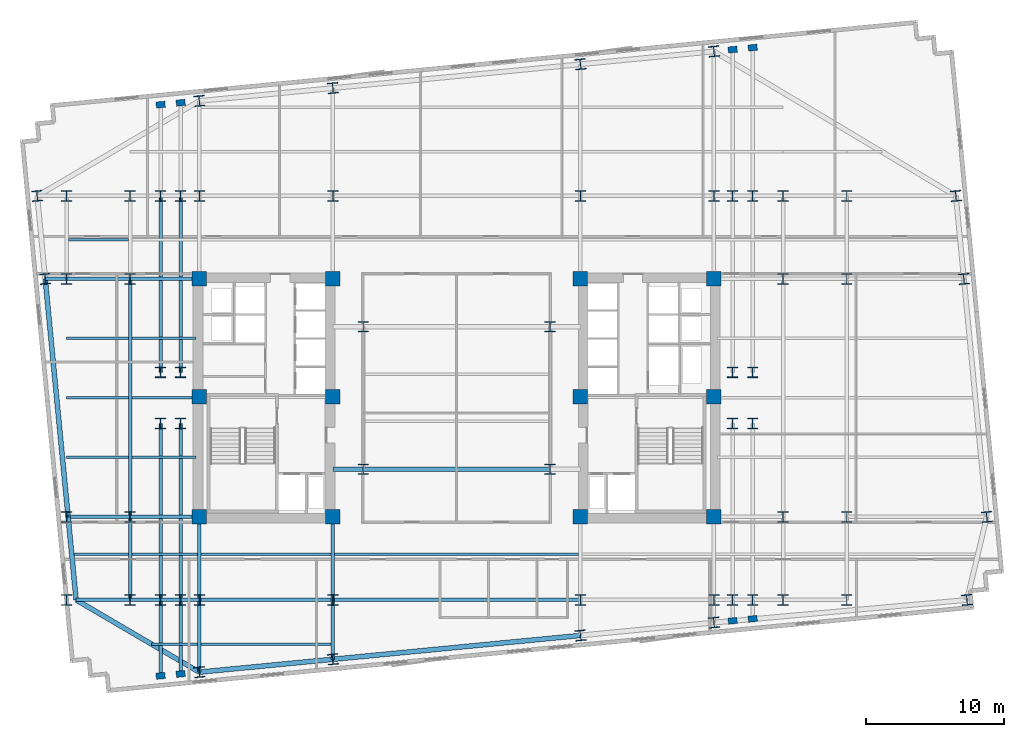
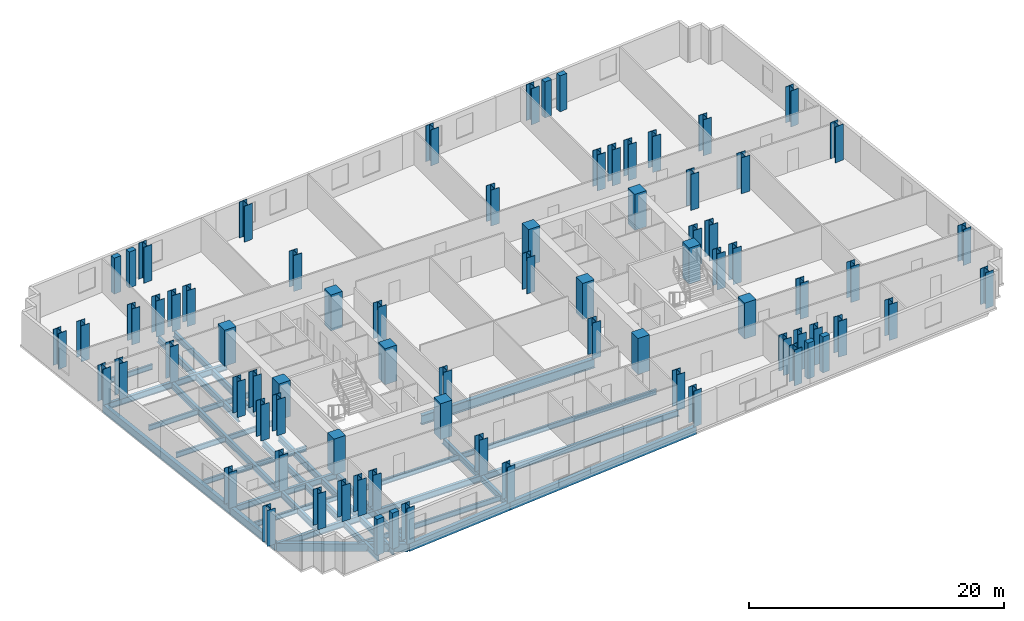
# One storey, part 1 of 11: 78 columns, 41 beams.
"""IFC4 building model written with IfcOpenShell, lengths in metres."""

from ifc_helpers import new_model, si_unit, direction, frame, origin, origin_2d, place, context, subcontext, project, spatial, rectangle, i_section, extrude, material, material_profile, profile_set, type_object, element, save


model = new_model("IFC4")

# Units and contexts
model_context = context("Model", 3, precision=1e-05, world=origin(), true_north=direction((0.0, 1.0)))
body_context = subcontext(model_context, "Body", "Model", "MODEL_VIEW")
ifc_project = project(units=[si_unit("LENGTHUNIT", "METRE"), si_unit("AREAUNIT", "SQUARE_METRE"), si_unit("VOLUMEUNIT", "CUBIC_METRE"), si_unit("PLANEANGLEUNIT", "RADIAN"), si_unit("MASSUNIT", "GRAM", prefix="KILO")], contexts=[model_context])

# Site, building, storey
site_placement = place(None, origin())
site = spatial("IfcSite", under=ifc_project, at=site_placement, CompositionType="ELEMENT")
building_placement = place(site_placement, origin())
building = spatial("IfcBuilding", under=site, at=building_placement, Name="Velakula Bourse", CompositionType="ELEMENT")
storey_placement = place(building_placement, frame((0.0, 0.0, 105.25)))
storey = spatial("IfcBuildingStorey", under=building, at=storey_placement, Name="L28", CompositionType="ELEMENT", Elevation=105.25)

# Columns
ifc_material_1 = material(Name="Concrete M70 (fck 70 MPa)", Category="concrete")
ifc_material_profile_1 = material_profile(ifc_material_1, rectangle(XDim=1.050048828125, YDim=1.050048828125, at=origin_2d()), Name="Concrete M70 (fck 70 MPa)")
ifc_profile_set_1 = profile_set([ifc_material_profile_1], Name="Concrete M70 (fck 70 MPa)")
column_type_1 = type_object("IfcColumnType", Name="COL-RC-1050", PredefinedType="COLUMN", material=ifc_profile_set_1)
for number, where, z_axis, x_axis, name in (
    (1, (-8.949951171875, -8.60009765625, 0.0), (0.0, 0.0, 1.0), (1.0, 0.0, 0.0), "L28 Core Boundary Column 01"),
    (2, (-8.949951171875, 0.10009765625, 0.0), (0.0, 0.0, 1.0), (1.0, 0.0, 0.0), "L28 Core Boundary Column 02"),
    (3, (-8.949951171875, 8.60009765625, 0.0), (0.0, 0.0, 1.0), (1.0, 0.0, 0.0), "L28 Core Boundary Column 03"),
    (4, (-18.60009765625, -8.60009765625, 0.0), (0.0, 0.0, 1.0), (1.0, 0.0, 0.0), "L28 Core Boundary Column 04"),
    (5, (-18.60009765625, 0.10009765625, 0.0), (0.0, 0.0, 1.0), (1.0, 0.0, 0.0), "L28 Core Boundary Column 05"),
    (6, (-18.60009765625, 8.60009765625, 0.0), (0.0, 0.0, 1.0), (1.0, 0.0, 0.0), "L28 Core Boundary Column 06"),
    (7, (8.949951171875, -8.60009765625, 0.0), (0.0, 0.0, 1.0), (1.0, 0.0, 0.0), "L28 Core Boundary Column 07"),
    (8, (8.949951171875, 0.10009765625, 0.0), (0.0, 0.0, 1.0), (1.0, 0.0, 0.0), "L28 Core Boundary Column 08"),
    (9, (8.949951171875, 8.60009765625, 0.0), (0.0, 0.0, 1.0), (1.0, 0.0, 0.0), "L28 Core Boundary Column 09"),
    (10, (18.60009765625, -8.60009765625, 0.0), (0.0, 0.0, 1.0), (1.0, 0.0, 0.0), "L28 Core Boundary Column 10"),
    (11, (18.60009765625, 0.10009765625, 0.0), (0.0, 0.0, 1.0), (1.0, 0.0, 0.0), "L28 Core Boundary Column 11"),
    (12, (18.60009765625, 8.60009765625, 0.0), (0.0, 0.0, 1.0), (1.0, 0.0, 0.0), "L28 Core Boundary Column 12"),
):
    element("IfcColumn", number, at=place(storey_placement, frame(where, z_axis=z_axis, x_axis=x_axis)), inside=storey, type_object=column_type_1, Name=name, PredefinedType="COLUMN", context=body_context, shape_type="SweptSolid", body=[
        extrude(rectangle(XDim=1.050048828125, YDim=1.050048828125, at=origin_2d()), origin(), (0.0, 0.0, 1.0), 3.449951171875),
    ])
ifc_material_2 = material(Name="Steel IS 2062 Grade 450 (E450)", Category="steel")
ifc_material_profile_2 = material_profile(ifc_material_2, i_section(OverallWidth=0.75, OverallDepth=0.75, WebThickness=0.030029296875, FlangeThickness=0.0439453125, at=origin_2d()), Name="Steel IS 2062 Grade 450 (E450)")
ifc_profile_set_2 = profile_set([ifc_material_profile_2], Name="Steel IS 2062 Grade 450 (E450)")
column_type_2 = type_object("IfcColumnType", Name="COL-STL-750", PredefinedType="COLUMN", material=ifc_profile_set_2)
for number, where, z_axis, x_axis, name in (
    (13, (-6.75, -5.14990234375, 0.0), (0.0, 0.0, 1.0), (1.0, 0.0, 0.0), "L28 Central Spine Column 01"),
    (14, (-6.75, 5.14990234375, 0.0), (0.0, 0.0, 1.0), (1.0, 0.0, 0.0), "L28 Central Spine Column 02"),
    (15, (6.75, -5.14990234375, 0.0), (0.0, 0.0, 1.0), (1.0, 0.0, 0.0), "L28 Central Spine Column 03"),
    (16, (6.75, 5.14990234375, 0.0), (0.0, 0.0, 1.0), (1.0, 0.0, 0.0), "L28 Central Spine Column 04"),
    (17, (-21.39990234375, -14.60009765625, 0.0), (0.0, 0.0, 1.0), (1.0, 0.0, 0.0), "L28 Tower Fulcrum Column 01"),
    (18, (-21.39990234375, 14.60009765625, 0.0), (0.0, 0.0, 1.0), (1.0, 0.0, 0.0), "L28 Tower Fulcrum Column 02"),
    (19, (-19.949951171875, -14.60009765625, 0.0), (0.0, 0.0, 1.0), (1.0, 0.0, 0.0), "L28 Tower Fulcrum Column 03"),
    (20, (-19.949951171875, 14.60009765625, 0.0), (0.0, 0.0, 1.0), (1.0, 0.0, 0.0), "L28 Tower Fulcrum Column 04"),
    (21, (-18.60009765625, -14.60009765625, 0.0), (0.0, 0.0, 1.0), (1.0, 0.0, 0.0), "L28 Tower Fulcrum Column 05"),
    (22, (-18.60009765625, 14.60009765625, 0.0), (0.0, 0.0, 1.0), (1.0, 0.0, 0.0), "L28 Tower Fulcrum Column 06"),
    (23, (-8.949951171875, -14.60009765625, 0.0), (0.0, 0.0, 1.0), (1.0, 0.0, 0.0), "L28 Tower Fulcrum Column 07"),
    (24, (-8.949951171875, 14.60009765625, 0.0), (0.0, 0.0, 1.0), (1.0, 0.0, 0.0), "L28 Tower Fulcrum Column 08"),
    (25, (8.949951171875, -14.60009765625, 0.0), (0.0, 0.0, 1.0), (1.0, 0.0, 0.0), "L28 Tower Fulcrum Column 09"),
    (26, (8.949951171875, 14.60009765625, 0.0), (0.0, 0.0, 1.0), (1.0, 0.0, 0.0), "L28 Tower Fulcrum Column 10"),
    (27, (18.60009765625, -14.60009765625, 0.0), (0.0, 0.0, 1.0), (1.0, 0.0, 0.0), "L28 Tower Fulcrum Column 11"),
    (28, (18.60009765625, 14.60009765625, 0.0), (0.0, 0.0, 1.0), (1.0, 0.0, 0.0), "L28 Tower Fulcrum Column 12"),
    (29, (19.949951171875, -14.60009765625, 0.0), (0.0, 0.0, 1.0), (1.0, 0.0, 0.0), "L28 Tower Fulcrum Column 13"),
    (30, (19.949951171875, 14.60009765625, 0.0), (0.0, 0.0, 1.0), (1.0, 0.0, 0.0), "L28 Tower Fulcrum Column 14"),
    (31, (21.39990234375, -14.60009765625, 0.0), (0.0, 0.0, 1.0), (1.0, 0.0, 0.0), "L28 Tower Fulcrum Column 15"),
    (32, (21.39990234375, 14.60009765625, 0.0), (0.0, 0.0, 1.0), (1.0, 0.0, 0.0), "L28 Tower Fulcrum Column 16"),
    (33, (-21.39990234375, -1.85009765625, 0.0), (0.0, 0.0, 1.0), (1.0, 0.0, 0.0), "L28 Tower Fulcrum Column 17"),
    (34, (-21.39990234375, 1.85009765625, 0.0), (0.0, 0.0, 1.0), (1.0, 0.0, 0.0), "L28 Tower Fulcrum Column 18"),
    (35, (-19.949951171875, -1.85009765625, 0.0), (0.0, 0.0, 1.0), (1.0, 0.0, 0.0), "L28 Tower Fulcrum Column 19"),
    (36, (-19.949951171875, 1.85009765625, 0.0), (0.0, 0.0, 1.0), (1.0, 0.0, 0.0), "L28 Tower Fulcrum Column 20"),
    (37, (19.949951171875, -1.85009765625, 0.0), (0.0, 0.0, 1.0), (1.0, 0.0, 0.0), "L28 Tower Fulcrum Column 21"),
    (38, (19.949951171875, 1.85009765625, 0.0), (0.0, 0.0, 1.0), (1.0, 0.0, 0.0), "L28 Tower Fulcrum Column 22"),
    (39, (21.39990234375, -1.85009765625, 0.0), (0.0, 0.0, 1.0), (1.0, 0.0, 0.0), "L28 Tower Fulcrum Column 23"),
    (40, (21.39990234375, 1.85009765625, 0.0), (0.0, 0.0, 1.0), (1.0, 0.0, 0.0), "L28 Tower Fulcrum Column 24"),
    (41, (-23.60009765625, -14.60009765625, 0.0), (0.0, 0.0, 1.0), (1.0, 0.0, 0.0), "L28 Mid-Wing Plumb Column 01"),
    (42, (-23.60009765625, -8.60009765625, 0.0), (0.0, 0.0, 1.0), (1.0, 0.0, 0.0), "L28 Mid-Wing Plumb Column 02"),
    (43, (-23.60009765625, 8.60009765625, 0.0), (0.0, 0.0, 1.0), (1.0, 0.0, 0.0), "L28 Mid-Wing Plumb Column 03"),
    (44, (-23.60009765625, 14.60009765625, 0.0), (0.0, 0.0, 1.0), (1.0, 0.0, 0.0), "L28 Mid-Wing Plumb Column 04"),
    (45, (23.60009765625, -14.60009765625, 0.0), (0.0, 0.0, 1.0), (1.0, 0.0, 0.0), "L28 Mid-Wing Plumb Column 05"),
    (46, (23.60009765625, -8.60009765625, 0.0), (0.0, 0.0, 1.0), (1.0, 0.0, 0.0), "L28 Mid-Wing Plumb Column 06"),
    (47, (23.60009765625, 8.60009765625, 0.0), (0.0, 0.0, 1.0), (1.0, 0.0, 0.0), "L28 Mid-Wing Plumb Column 07"),
    (48, (23.60009765625, 14.60009765625, 0.0), (0.0, 0.0, 1.0), (1.0, 0.0, 0.0), "L28 Mid-Wing Plumb Column 08"),
    (49, (-28.199951171875, -14.60009765625, 0.0), (0.0, 0.0, 1.0), (1.0, 0.0, 0.0), "L28 Lower Wing Column 01"),
    (50, (-28.199951171875, -8.60009765625, 0.0), (0.0, 0.0, 1.0), (1.0, 0.0, 0.0), "L28 Lower Wing Column 02"),
    (51, (-28.199951171875, 8.60009765625, 0.0), (0.0, 0.0, 1.0), (1.0, 0.0, 0.0), "L28 Lower Wing Column 03"),
    (52, (-28.199951171875, 14.60009765625, 0.0), (0.0, 0.0, 1.0), (1.0, 0.0, 0.0), "L28 Lower Wing Column 04"),
    (53, (28.199951171875, -14.60009765625, 0.0), (0.0, 0.0, 1.0), (1.0, 0.0, 0.0), "L28 Lower Wing Column 05"),
    (54, (28.199951171875, -8.60009765625, 0.0), (0.0, 0.0, 1.0), (1.0, 0.0, 0.0), "L28 Lower Wing Column 06"),
    (55, (28.199951171875, 8.60009765625, 0.0), (0.0, 0.0, 1.0), (1.0, 0.0, 0.0), "L28 Lower Wing Column 07"),
    (56, (28.199951171875, 14.60009765625, 0.0), (0.0, 0.0, 1.0), (1.0, 0.0, 0.0), "L28 Lower Wing Column 08"),
    (57, (-18.60009765625, -19.8212890625, 0.0), (0.0, 0.0, 1.0), (0.995396198367, 0.09584575252, 0.0), "L28 Block B2 Perimeter Column S1"),
    (58, (-8.949951171875, -18.89208984375, 0.0), (0.0, 0.0, 1.0), (0.995396198367, 0.09584575252, 0.0), "L28 Block B2 Perimeter Column S2"),
    (59, (8.949951171875, -17.16845703125, 0.0), (0.0, 0.0, 1.0), (0.995396198367, 0.09584575252, 0.0), "L28 Block B2 Perimeter Column S3"),
    (60, (18.60009765625, -16.2392578125, 0.0), (0.0, 0.0, 1.0), (0.995396198367, 0.09584575252, 0.0), "L28 Block B2 Perimeter Column S4"),
    (61, (-18.60009765625, 21.468994140625, 0.0), (0.0, 0.0, 1.0), (0.995396198367, 0.09584575252, 0.0), "L28 Block B2 Perimeter Column N1"),
    (62, (-8.949951171875, 22.398193359375, 0.0), (0.0, 0.0, 1.0), (0.995396198367, 0.09584575252, 0.0), "L28 Block B2 Perimeter Column N2"),
    (63, (8.949951171875, 24.12158203125, 0.0), (0.0, 0.0, 1.0), (0.995396198367, 0.09584575252, 0.0), "L28 Block B2 Perimeter Column N3"),
    (64, (18.60009765625, 25.05078125, 0.0), (0.0, 0.0, 1.0), (0.995396198367, 0.09584575252, 0.0), "L28 Block B2 Perimeter Column N4"),
    (65, (-29.7421875, 8.60009765625, 0.0), (0.0, 0.0, 1.0), (0.995396198367, 0.09584575252, 0.0), "L28 Block B2 Perimeter Column W3"),
    (66, (-30.31982421875, 14.60009765625, 0.0), (0.0, 0.0, 1.0), (0.995396198367, 0.09584575252, 0.0), "L28 Block B2 Perimeter Column W4"),
    (67, (36.88818359375, -14.60009765625, 0.0), (0.0, 0.0, 1.0), (0.995396198367, 0.09584575252, 0.0), "L28 Block B2 Perimeter Column E1"),
    (68, (38.31982421875, -8.60009765625, 0.0), (0.0, 0.0, 1.0), (0.995396198367, 0.09584575252, 0.0), "L28 Block B2 Perimeter Column E2"),
    (69, (36.66357421875, 8.60009765625, 0.0), (0.0, 0.0, 1.0), (0.995396198367, 0.09584575252, 0.0), "L28 Block B2 Perimeter Column E3"),
    (70, (36.0859375, 14.60009765625, 0.0), (0.0, 0.0, 1.0), (0.995396198367, 0.09584575252, 0.0), "L28 Block B2 Perimeter Column E4"),
):
    element("IfcColumn", number, at=place(storey_placement, frame(where, z_axis=z_axis, x_axis=x_axis)), inside=storey, type_object=column_type_2, Name=name, PredefinedType="COLUMN", context=body_context, shape_type="SweptSolid", body=[
        extrude(i_section(OverallWidth=0.75, OverallDepth=0.75, WebThickness=0.030029296875, FlangeThickness=0.0439453125, at=origin_2d()), origin(), (0.0, 0.0, 1.0), 3.449951171875),
    ])
ifc_material_3 = material(Name="Precast concrete M45 (fck 45 MPa)", Category="concrete")
ifc_material_profile_3 = material_profile(ifc_material_3, rectangle(XDim=0.64990234375, YDim=0.449951171875, at=origin_2d()), Name="Precast concrete M45 (fck 45 MPa)")
ifc_profile_set_3 = profile_set([ifc_material_profile_3], Name="Precast concrete M45 (fck 45 MPa)")
column_type_3 = type_object("IfcColumnType", Name="PIL-BRICK-650", PredefinedType="PILASTER", material=ifc_profile_set_3)
for number, where, z_axis, x_axis, name in (
    (71, (-21.39990234375, -20.0908203125, 0.0), (0.0, 0.0, 1.0), (0.995396198367, 0.09584575252, 0.0), "L28 Brick Pier Pilaster 01"),
    (72, (-19.949951171875, -19.951171875, 0.0), (0.0, 0.0, 1.0), (0.995396198367, 0.09584575252, 0.0), "L28 Brick Pier Pilaster 02"),
    (73, (19.949951171875, -16.109130859375, 0.0), (0.0, 0.0, 1.0), (0.995396198367, 0.09584575252, 0.0), "L28 Brick Pier Pilaster 03"),
    (74, (21.39990234375, -15.969482421875, 0.0), (0.0, 0.0, 1.0), (0.995396198367, 0.09584575252, 0.0), "L28 Brick Pier Pilaster 04"),
    (75, (-21.39990234375, 21.19921875, 0.0), (0.0, 0.0, 1.0), (0.995396198367, 0.09584575252, 0.0), "L28 Brick Pier Pilaster 05"),
    (76, (-19.949951171875, 21.3388671875, 0.0), (0.0, 0.0, 1.0), (0.995396198367, 0.09584575252, 0.0), "L28 Brick Pier Pilaster 06"),
    (77, (19.949951171875, 25.180908203125, 0.0), (0.0, 0.0, 1.0), (0.995396198367, 0.09584575252, 0.0), "L28 Brick Pier Pilaster 07"),
    (78, (21.39990234375, 25.320556640625, 0.0), (0.0, 0.0, 1.0), (0.995396198367, 0.09584575252, 0.0), "L28 Brick Pier Pilaster 08"),
):
    element("IfcColumn", number, at=place(storey_placement, frame(where, z_axis=z_axis, x_axis=x_axis)), inside=storey, type_object=column_type_3, Name=name, PredefinedType="PILASTER", context=body_context, shape_type="SweptSolid", body=[
        extrude(rectangle(XDim=0.64990234375, YDim=0.449951171875, at=origin_2d()), origin(), (0.0, 0.0, 1.0), 3.449951171875),
    ])

# Beams
ifc_material_4 = material(Name="Steel IS 2062 Grade 350 (E350)", Category="steel")
ifc_material_profile_4 = material_profile(ifc_material_4, i_section(OverallWidth=0.25, OverallDepth=0.60009765625, WebThickness=0.01171875, FlangeThickness=0.023681640625, at=origin_2d()), Name="Steel IS 2062 Grade 350 (E350)")
ifc_profile_set_4 = profile_set([ifc_material_profile_4], Name="Steel IS 2062 Grade 350 (E350)")
beam_type_1 = type_object("IfcBeamType", Name="BM-GRD-600H", PredefinedType="BEAM", material=ifc_profile_set_4)
for number, where, z_axis, x_axis, name in (
    (79, (-18.60009765625, -14.60009765625, -0.47998046875), (0.0, 1.0, 0.0), (-1.0, 0.0, 0.0), "L28 Fulcrum Grid Girder FLC-WS"),
    (80, (-8.949951171875, -14.60009765625, -0.47998046875), (0.0, 1.0, 0.0), (-1.0, 0.0, 0.0), "L28 Fulcrum Grid Girder FLC-WCS"),
):
    element("IfcBeam", number, at=place(storey_placement, frame(where, z_axis=z_axis, x_axis=x_axis)), inside=storey, type_object=beam_type_1, Name=name, PredefinedType="BEAM", context=body_context, shape_type="SweptSolid", body=[
        extrude(i_section(OverallWidth=0.25, OverallDepth=0.60009765625, WebThickness=0.01171875, FlangeThickness=0.023681640625, at=origin_2d()), origin(), (0.0, 0.0, 1.0), 6.0),
    ])
beam_1_placement = place(storey_placement, frame((-18.60009765625, -14.60009765625, -0.47998046875), z_axis=(1.0, 0.0, 0.0), x_axis=(0.0, 1.0, 0.0)))
element("IfcBeam", 81, at=beam_1_placement, inside=storey, type_object=beam_type_1, Name="L28 Fulcrum Grid Girder FLC-S1", PredefinedType="BEAM", context=body_context, shape_type="SweptSolid", body=[
    extrude(i_section(OverallWidth=0.25, OverallDepth=0.60009765625, WebThickness=0.01171875, FlangeThickness=0.023681640625, at=origin_2d()), origin(), (0.0, 0.0, 1.0), 9.650146484375),
])
beam_2_placement = place(storey_placement, frame((-8.949951171875, -14.60009765625, -0.47998046875), z_axis=(1.0, 0.0, 0.0), x_axis=(0.0, 1.0, 0.0)))
element("IfcBeam", 82, at=beam_2_placement, inside=storey, type_object=beam_type_1, Name="L28 Fulcrum Grid Girder FLC-S2", PredefinedType="BEAM", context=body_context, shape_type="SweptSolid", body=[
    extrude(i_section(OverallWidth=0.25, OverallDepth=0.60009765625, WebThickness=0.01171875, FlangeThickness=0.023681640625, at=origin_2d()), origin(), (0.0, 0.0, 1.0), 17.89990234375),
])
for number, where, z_axis, x_axis, name in (
    (83, (-21.39990234375, -14.60009765625, -0.47998046875), (0.0, 1.0, 0.0), (-1.0, 0.0, 0.0), "L28 Fulcrum Grid Girder FLC-PSW1"),
    (84, (-21.39990234375, 1.85009765625, -0.47998046875), (0.0, 1.0, 0.0), (-1.0, 0.0, 0.0), "L28 Fulcrum Grid Girder FLC-PNW1"),
    (85, (-19.949951171875, -14.60009765625, -0.47998046875), (0.0, 1.0, 0.0), (-1.0, 0.0, 0.0), "L28 Fulcrum Grid Girder FLC-PSW2"),
    (86, (-19.949951171875, 1.85009765625, -0.47998046875), (0.0, 1.0, 0.0), (-1.0, 0.0, 0.0), "L28 Fulcrum Grid Girder FLC-PNW2"),
):
    element("IfcBeam", number, at=place(storey_placement, frame(where, z_axis=z_axis, x_axis=x_axis)), inside=storey, type_object=beam_type_1, Name=name, PredefinedType="BEAM", context=body_context, shape_type="SweptSolid", body=[
        extrude(i_section(OverallWidth=0.25, OverallDepth=0.60009765625, WebThickness=0.01171875, FlangeThickness=0.023681640625, at=origin_2d()), origin(), (0.0, 0.0, 1.0), 12.75),
    ])
for number, where, z_axis, x_axis, name in (
    (87, (-23.60009765625, -14.60009765625, -0.47998046875), (1.0, 0.0, 0.0), (0.0, 1.0, 0.0), "L28 Fulcrum Grid Girder MWG-WS1"),
    (88, (-23.60009765625, -8.60009765625, -0.47998046875), (1.0, 0.0, 0.0), (0.0, 1.0, 0.0), "L28 Fulcrum Grid Girder MWG-WS2"),
    (89, (-23.60009765625, 8.60009765625, -0.47998046875), (1.0, 0.0, 0.0), (0.0, 1.0, 0.0), "L28 Fulcrum Grid Girder MWG-WN1"),
):
    element("IfcBeam", number, at=place(storey_placement, frame(where, z_axis=z_axis, x_axis=x_axis)), inside=storey, type_object=beam_type_1, Name=name, PredefinedType="BEAM", context=body_context, shape_type="SweptSolid", body=[
        extrude(i_section(OverallWidth=0.25, OverallDepth=0.60009765625, WebThickness=0.01171875, FlangeThickness=0.023681640625, at=origin_2d()), origin(), (0.0, 0.0, 1.0), 5.0),
    ])
beam_3_placement = place(storey_placement, frame((-23.60009765625, -14.60009765625, -0.47998046875), z_axis=(0.0, 1.0, 0.0), x_axis=(-1.0, 0.0, 0.0)))
element("IfcBeam", 90, at=beam_3_placement, inside=storey, type_object=beam_type_1, Name="L28 Fulcrum Grid Girder MWG-WNS1", PredefinedType="BEAM", context=body_context, shape_type="SweptSolid", body=[
    extrude(i_section(OverallWidth=0.25, OverallDepth=0.60009765625, WebThickness=0.01171875, FlangeThickness=0.023681640625, at=origin_2d()), origin(), (0.0, 0.0, 1.0), 6.0),
])
beam_4_placement = place(storey_placement, frame((-23.60009765625, -8.60009765625, -0.47998046875), z_axis=(0.0, 1.0, 0.0), x_axis=(-1.0, 0.0, 0.0)))
element("IfcBeam", 91, at=beam_4_placement, inside=storey, type_object=beam_type_1, Name="L28 Fulcrum Grid Girder MWG-WNS2", PredefinedType="BEAM", context=body_context, shape_type="SweptSolid", body=[
    extrude(i_section(OverallWidth=0.25, OverallDepth=0.60009765625, WebThickness=0.01171875, FlangeThickness=0.023681640625, at=origin_2d()), origin(), (0.0, 0.0, 1.0), 17.2001953125),
])
beam_5_placement = place(storey_placement, frame((-27.50830078125, -14.60009765625, -0.47998046875), z_axis=(1.0, 0.0, 0.0), x_axis=(0.0, 1.0, 0.0)))
element("IfcBeam", 92, at=beam_5_placement, inside=storey, type_object=beam_type_1, Name="L28 Fulcrum Grid Girder WNG-WS1", PredefinedType="BEAM", context=body_context, shape_type="SweptSolid", body=[
    extrude(i_section(OverallWidth=0.25, OverallDepth=0.60009765625, WebThickness=0.01171875, FlangeThickness=0.023681640625, at=origin_2d()), origin(), (0.0, 0.0, 1.0), 3.908203125),
])
beam_6_placement = place(storey_placement, frame((-28.0859375, -8.60009765625, -0.47998046875), z_axis=(1.0, 0.0, 0.0), x_axis=(0.0, 1.0, 0.0)))
element("IfcBeam", 93, at=beam_6_placement, inside=storey, type_object=beam_type_1, Name="L28 Fulcrum Grid Girder WNG-WS2", PredefinedType="BEAM", context=body_context, shape_type="SweptSolid", body=[
    extrude(i_section(OverallWidth=0.25, OverallDepth=0.60009765625, WebThickness=0.01171875, FlangeThickness=0.023681640625, at=origin_2d()), origin(), (0.0, 0.0, 1.0), 4.48583984375),
])
beam_7_placement = place(storey_placement, frame((-28.199951171875, 8.60009765625, -0.47998046875), z_axis=(1.0, 0.0, 0.0), x_axis=(0.0, 1.0, 0.0)))
element("IfcBeam", 94, at=beam_7_placement, inside=storey, type_object=beam_type_1, Name="L28 Fulcrum Grid Girder WNG-WN1", PredefinedType="BEAM", context=body_context, shape_type="SweptSolid", body=[
    extrude(i_section(OverallWidth=0.25, OverallDepth=0.60009765625, WebThickness=0.01171875, FlangeThickness=0.023681640625, at=origin_2d()), origin(), (0.0, 0.0, 1.0), 4.599853515625),
])
beam_8_placement = place(storey_placement, frame((-18.60009765625, -14.60009765625, -0.47998046875), z_axis=(0.0, -1.0, 0.0), x_axis=(1.0, 0.0, 0.0)))
element("IfcBeam", 95, at=beam_8_placement, inside=storey, type_object=beam_type_1, Name="L28 Perimeter Tie Girder S1", PredefinedType="BEAM", context=body_context, shape_type="SweptSolid", body=[
    extrude(i_section(OverallWidth=0.25, OverallDepth=0.60009765625, WebThickness=0.01171875, FlangeThickness=0.023681640625, at=origin_2d()), origin(), (0.0, 0.0, 1.0), 5.22119140625),
])
beam_9_placement = place(storey_placement, frame((-8.949951171875, -14.60009765625, -0.47998046875), z_axis=(0.0, -1.0, 0.0), x_axis=(1.0, 0.0, 0.0)))
element("IfcBeam", 96, at=beam_9_placement, inside=storey, type_object=beam_type_1, Name="L28 Perimeter Tie Girder S2", PredefinedType="BEAM", context=body_context, shape_type="SweptSolid", body=[
    extrude(i_section(OverallWidth=0.25, OverallDepth=0.60009765625, WebThickness=0.01171875, FlangeThickness=0.023681640625, at=origin_2d()), origin(), (0.0, 0.0, 1.0), 4.2919921875),
])
beam_10_placement = place(storey_placement, frame((-28.199951171875, 8.60009765625, -0.47998046875), z_axis=(-1.0, 0.0, 0.0), x_axis=(0.0, -1.0, 0.0)))
element("IfcBeam", 97, at=beam_10_placement, inside=storey, type_object=beam_type_1, Name="L28 Perimeter Tie Girder W3", PredefinedType="BEAM", context=body_context, shape_type="SweptSolid", body=[
    extrude(i_section(OverallWidth=0.25, OverallDepth=0.60009765625, WebThickness=0.01171875, FlangeThickness=0.023681640625, at=origin_2d()), origin(), (0.0, 0.0, 1.0), 1.542236328125),
])
beam_11_placement = place(storey_placement, frame((-21.39990234375, -14.60009765625, -0.47998046875), z_axis=(0.0, -1.0, 0.0), x_axis=(1.0, 0.0, 0.0)))
element("IfcBeam", 98, at=beam_11_placement, inside=storey, type_object=beam_type_1, Name="L28 Perimeter Tie Girder P01", PredefinedType="BEAM", context=body_context, shape_type="SweptSolid", body=[
    extrude(i_section(OverallWidth=0.25, OverallDepth=0.60009765625, WebThickness=0.01171875, FlangeThickness=0.023681640625, at=origin_2d()), origin(), (0.0, 0.0, 1.0), 5.49072265625),
])
beam_12_placement = place(storey_placement, frame((-19.949951171875, -14.60009765625, -0.47998046875), z_axis=(0.0, -1.0, 0.0), x_axis=(1.0, 0.0, 0.0)))
element("IfcBeam", 99, at=beam_12_placement, inside=storey, type_object=beam_type_1, Name="L28 Perimeter Tie Girder P02", PredefinedType="BEAM", context=body_context, shape_type="SweptSolid", body=[
    extrude(i_section(OverallWidth=0.25, OverallDepth=0.60009765625, WebThickness=0.01171875, FlangeThickness=0.023681640625, at=origin_2d()), origin(), (0.0, 0.0, 1.0), 5.35107421875),
])
ifc_material_profile_5 = material_profile(ifc_material_4, i_section(OverallWidth=0.35009765625, OverallDepth=0.89990234375, WebThickness=0.02001953125, FlangeThickness=0.031982421875, at=origin_2d()), Name="Steel IS 2062 Grade 350 (E350)")
ifc_profile_set_5 = profile_set([ifc_material_profile_5], Name="Steel IS 2062 Grade 350 (E350)")
beam_type_2 = type_object("IfcBeamType", Name="BM-LNK-900", PredefinedType="BEAM", material=ifc_profile_set_5)
beam_13_placement = place(storey_placement, frame((-8.949951171875, -5.14990234375, -0.6298828125), z_axis=(1.0, 0.0, 0.0), x_axis=(0.0, 1.0, 0.0)))
element("IfcBeam", 100, at=beam_13_placement, inside=storey, type_object=beam_type_2, Name="L28 Primary Backbone Girder LNK-S1", PredefinedType="BEAM", context=body_context, shape_type="SweptSolid", body=[
    extrude(i_section(OverallWidth=0.35009765625, OverallDepth=0.89990234375, WebThickness=0.02001953125, FlangeThickness=0.031982421875, at=origin_2d()), origin(), (0.0, 0.0, 1.0), 2.199951171875),
])
beam_14_placement = place(storey_placement, frame((-6.75, -5.14990234375, -0.6298828125), z_axis=(1.0, 0.0, 0.0), x_axis=(0.0, 1.0, 0.0)))
element("IfcBeam", 101, at=beam_14_placement, inside=storey, type_object=beam_type_2, Name="L28 Primary Backbone Girder LNK-S2", PredefinedType="BEAM", context=body_context, shape_type="SweptSolid", body=[
    extrude(i_section(OverallWidth=0.35009765625, OverallDepth=0.89990234375, WebThickness=0.02001953125, FlangeThickness=0.031982421875, at=origin_2d()), origin(), (0.0, 0.0, 1.0), 13.5),
])
ifc_material_profile_6 = material_profile(ifc_material_4, i_section(OverallWidth=0.179931640625, OverallDepth=0.5, WebThickness=0.01025390625, FlangeThickness=0.01708984375, at=origin_2d()), Name="Steel IS 2062 Grade 350 (E350)")
ifc_profile_set_6 = profile_set([ifc_material_profile_6], Name="Steel IS 2062 Grade 350 (E350)")
beam_type_3 = type_object("IfcBeamType", Name="JST-TWR-500", PredefinedType="JOIST", material=ifc_profile_set_6)
beam_15_placement = place(storey_placement, frame((-22.048583984375, -17.800048828125, -0.429931640625), z_axis=(1.0, 0.0, 0.0), x_axis=(0.0, 1.0, 0.0)))
element("IfcBeam", 102, at=beam_15_placement, inside=storey, type_object=beam_type_3, Name="L28 Trading Floor Composite Joist 01", PredefinedType="JOIST", context=body_context, shape_type="SweptSolid", body=[
    extrude(i_section(OverallWidth=0.179931640625, OverallDepth=0.5, WebThickness=0.01025390625, FlangeThickness=0.01708984375, at=origin_2d()), origin(), (0.0, 0.0, 1.0), 3.323486328125),
])
beam_16_placement = place(storey_placement, frame((-18.47509765625, -17.800048828125, -0.429931640625), z_axis=(1.0, 0.0, 0.0), x_axis=(0.0, 1.0, 0.0)))
element("IfcBeam", 103, at=beam_16_placement, inside=storey, type_object=beam_type_3, Name="L28 Trading Floor Composite Joist 02", PredefinedType="JOIST", context=body_context, shape_type="SweptSolid", body=[
    extrude(i_section(OverallWidth=0.179931640625, OverallDepth=0.5, WebThickness=0.01025390625, FlangeThickness=0.01708984375, at=origin_2d()), origin(), (0.0, 0.0, 1.0), 9.400146484375),
])
beam_17_placement = place(storey_placement, frame((-27.650146484375, -11.300048828125, -0.429931640625), z_axis=(1.0, 0.0, 0.0), x_axis=(0.0, 1.0, 0.0)))
element("IfcBeam", 104, at=beam_17_placement, inside=storey, type_object=beam_type_3, Name="L28 Trading Floor Composite Joist 04", PredefinedType="JOIST", context=body_context, shape_type="SweptSolid", body=[
    extrude(i_section(OverallWidth=0.179931640625, OverallDepth=0.5, WebThickness=0.01025390625, FlangeThickness=0.01708984375, at=origin_2d()), origin(), (0.0, 0.0, 1.0), 3.925048828125),
])
beam_18_placement = place(storey_placement, frame((-23.47509765625, -11.300048828125, -0.429931640625), z_axis=(1.0, 0.0, 0.0), x_axis=(0.0, 1.0, 0.0)))
element("IfcBeam", 105, at=beam_18_placement, inside=storey, type_object=beam_type_3, Name="L28 Trading Floor Composite Joist 05", PredefinedType="JOIST", context=body_context, shape_type="SweptSolid", body=[
    extrude(i_section(OverallWidth=0.179931640625, OverallDepth=0.5, WebThickness=0.01025390625, FlangeThickness=0.01708984375, at=origin_2d()), origin(), (0.0, 0.0, 1.0), 4.75),
])
beam_19_placement = place(storey_placement, frame((-18.47509765625, -11.300048828125, -0.429931640625), z_axis=(1.0, 0.0, 0.0), x_axis=(0.0, 1.0, 0.0)))
element("IfcBeam", 106, at=beam_19_placement, inside=storey, type_object=beam_type_3, Name="L28 Trading Floor Composite Joist 06", PredefinedType="JOIST", context=body_context, shape_type="SweptSolid", body=[
    extrude(i_section(OverallWidth=0.179931640625, OverallDepth=0.5, WebThickness=0.01025390625, FlangeThickness=0.01708984375, at=origin_2d()), origin(), (0.0, 0.0, 1.0), 9.400146484375),
])
beam_20_placement = place(storey_placement, frame((-8.824951171875, -11.300048828125, -0.429931640625), z_axis=(1.0, 0.0, 0.0), x_axis=(0.0, 1.0, 0.0)))
element("IfcBeam", 107, at=beam_20_placement, inside=storey, type_object=beam_type_3, Name="L28 Trading Floor Composite Joist 07", PredefinedType="JOIST", context=body_context, shape_type="SweptSolid", body=[
    extrude(i_section(OverallWidth=0.179931640625, OverallDepth=0.5, WebThickness=0.01025390625, FlangeThickness=0.01708984375, at=origin_2d()), origin(), (0.0, 0.0, 1.0), 17.64990234375),
])
beam_21_placement = place(storey_placement, frame((-28.074951171875, 11.449951171875, -0.429931640625), z_axis=(1.0, 0.0, 0.0), x_axis=(0.0, 1.0, 0.0)))
element("IfcBeam", 108, at=beam_21_placement, inside=storey, type_object=beam_type_3, Name="L28 Trading Floor Composite Joist 12", PredefinedType="JOIST", context=body_context, shape_type="SweptSolid", body=[
    extrude(i_section(OverallWidth=0.179931640625, OverallDepth=0.5, WebThickness=0.01025390625, FlangeThickness=0.01708984375, at=origin_2d()), origin(), (0.0, 0.0, 1.0), 4.349853515625),
])
beam_22_placement = place(storey_placement, frame((-28.199951171875, -4.300048828125, -0.429931640625), z_axis=(1.0, 0.0, 0.0), x_axis=(0.0, 1.0, 0.0)))
element("IfcBeam", 109, at=beam_22_placement, inside=storey, type_object=beam_type_3, Name="L28 Trading Floor Composite Joist 33", PredefinedType="JOIST", context=body_context, shape_type="SweptSolid", body=[
    extrude(i_section(OverallWidth=0.179931640625, OverallDepth=0.5, WebThickness=0.01025390625, FlangeThickness=0.01708984375, at=origin_2d()), origin(), (0.0, 0.0, 1.0), 4.474853515625),
])
beam_23_placement = place(storey_placement, frame((-23.47509765625, -4.300048828125, -0.429931640625), z_axis=(1.0, 0.0, 0.0), x_axis=(0.0, 1.0, 0.0)))
element("IfcBeam", 110, at=beam_23_placement, inside=storey, type_object=beam_type_3, Name="L28 Trading Floor Composite Joist 34", PredefinedType="JOIST", context=body_context, shape_type="SweptSolid", body=[
    extrude(i_section(OverallWidth=0.179931640625, OverallDepth=0.5, WebThickness=0.01025390625, FlangeThickness=0.01708984375, at=origin_2d()), origin(), (0.0, 0.0, 1.0), 4.625),
])
beam_24_placement = place(storey_placement, frame((-28.199951171875, 0.0, -0.429931640625), z_axis=(1.0, 0.0, 0.0), x_axis=(0.0, 1.0, 0.0)))
element("IfcBeam", 111, at=beam_24_placement, inside=storey, type_object=beam_type_3, Name="L28 Trading Floor Composite Joist 38", PredefinedType="JOIST", context=body_context, shape_type="SweptSolid", body=[
    extrude(i_section(OverallWidth=0.179931640625, OverallDepth=0.5, WebThickness=0.01025390625, FlangeThickness=0.01708984375, at=origin_2d()), origin(), (0.0, 0.0, 1.0), 4.474853515625),
])
beam_25_placement = place(storey_placement, frame((-23.47509765625, 0.0, -0.429931640625), z_axis=(1.0, 0.0, 0.0), x_axis=(0.0, 1.0, 0.0)))
element("IfcBeam", 112, at=beam_25_placement, inside=storey, type_object=beam_type_3, Name="L28 Trading Floor Composite Joist 39", PredefinedType="JOIST", context=body_context, shape_type="SweptSolid", body=[
    extrude(i_section(OverallWidth=0.179931640625, OverallDepth=0.5, WebThickness=0.01025390625, FlangeThickness=0.01708984375, at=origin_2d()), origin(), (0.0, 0.0, 1.0), 4.625),
])
beam_26_placement = place(storey_placement, frame((-28.199951171875, 4.300048828125, -0.429931640625), z_axis=(1.0, 0.0, 0.0), x_axis=(0.0, 1.0, 0.0)))
element("IfcBeam", 113, at=beam_26_placement, inside=storey, type_object=beam_type_3, Name="L28 Trading Floor Composite Joist 43", PredefinedType="JOIST", context=body_context, shape_type="SweptSolid", body=[
    extrude(i_section(OverallWidth=0.179931640625, OverallDepth=0.5, WebThickness=0.01025390625, FlangeThickness=0.01708984375, at=origin_2d()), origin(), (0.0, 0.0, 1.0), 4.474853515625),
])
beam_27_placement = place(storey_placement, frame((-23.47509765625, 4.300048828125, -0.429931640625), z_axis=(1.0, 0.0, 0.0), x_axis=(0.0, 1.0, 0.0)))
element("IfcBeam", 114, at=beam_27_placement, inside=storey, type_object=beam_type_3, Name="L28 Trading Floor Composite Joist 44", PredefinedType="JOIST", context=body_context, shape_type="SweptSolid", body=[
    extrude(i_section(OverallWidth=0.179931640625, OverallDepth=0.5, WebThickness=0.01025390625, FlangeThickness=0.01708984375, at=origin_2d()), origin(), (0.0, 0.0, 1.0), 4.625),
])
ifc_material_profile_7 = material_profile(ifc_material_3, rectangle(XDim=0.35009765625, YDim=0.75, at=origin_2d()), Name="Precast concrete M45 (fck 45 MPa)")
ifc_profile_set_7 = profile_set([ifc_material_profile_7], Name="Precast concrete M45 (fck 45 MPa)")
beam_type_4 = type_object("IfcBeamType", Name="SPN-BRICK-750", PredefinedType="SPANDREL", material=ifc_profile_set_7)
beam_28_placement = place(storey_placement, frame((-18.60009765625, -19.8212890625, -0.554931640625), z_axis=(0.99539623971, 0.095845323155, 0.0), x_axis=(-0.095845323155, 0.99539623971, 0.0)))
element("IfcBeam", 115, at=beam_28_placement, inside=storey, type_object=beam_type_4, Name="L28 Brick-Faced Precast Spandrel S1-S2", PredefinedType="SPANDREL", context=body_context, shape_type="SweptSolid", body=[
    extrude(rectangle(XDim=0.35009765625, YDim=0.75, at=origin_2d()), origin(), (0.0, 0.0, 1.0), 9.69482421875),
])
beam_29_placement = place(storey_placement, frame((-8.949951171875, -18.89208984375, -0.554931640625), z_axis=(0.995395836254, 0.095849513134, 0.0), x_axis=(-0.095849513134, 0.995395836254, 0.0)))
element("IfcBeam", 116, at=beam_29_placement, inside=storey, type_object=beam_type_4, Name="L28 Brick-Faced Precast Spandrel S2-S3", PredefinedType="SPANDREL", context=body_context, shape_type="SweptSolid", body=[
    extrude(rectangle(XDim=0.35009765625, YDim=0.75, at=origin_2d()), origin(), (0.0, 0.0, 1.0), 17.982666015625),
])
beam_30_placement = place(storey_placement, frame((-27.50830078125, -14.60009765625, -0.554931640625), z_axis=(-0.095829714309, 0.995397742541, 0.0), x_axis=(-0.995397742541, -0.095829714309, 0.0)))
element("IfcBeam", 117, at=beam_30_placement, inside=storey, type_object=beam_type_4, Name="L28 Brick-Faced Precast Spandrel W1-W2", PredefinedType="SPANDREL", context=body_context, shape_type="SweptSolid", body=[
    extrude(rectangle(XDim=0.35009765625, YDim=0.75, at=origin_2d()), origin(), (0.0, 0.0, 1.0), 6.02783203125),
])
beam_31_placement = place(storey_placement, frame((-28.0859375, -8.60009765625, -0.554931640625), z_axis=(-0.095849167925, 0.995395869495, 0.0), x_axis=(-0.995395869495, -0.095849167925, 0.0)))
element("IfcBeam", 118, at=beam_31_placement, inside=storey, type_object=beam_type_4, Name="L28 Brick-Faced Precast Spandrel W2-W3", PredefinedType="SPANDREL", context=body_context, shape_type="SweptSolid", body=[
    extrude(rectangle(XDim=0.35009765625, YDim=0.75, at=origin_2d()), origin(), (0.0, 0.0, 1.0), 17.27978515625),
])
beam_32_placement = place(storey_placement, frame((-27.50830078125, -14.60009765625, -0.554931640625), z_axis=(0.862734250413, -0.505657604674, 0.0), x_axis=(0.505657604674, 0.862734250413, 0.0)))
element("IfcBeam", 119, at=beam_32_placement, inside=storey, type_object=beam_type_4, Name="L28 Brick-Faced Precast Spandrel W1-S1", PredefinedType="SPANDREL", context=body_context, shape_type="SweptSolid", body=[
    extrude(rectangle(XDim=0.35009765625, YDim=0.75, at=origin_2d()), origin(), (0.0, 0.0, 1.0), 10.325439453125),
])

save(model, "model.ifc")
